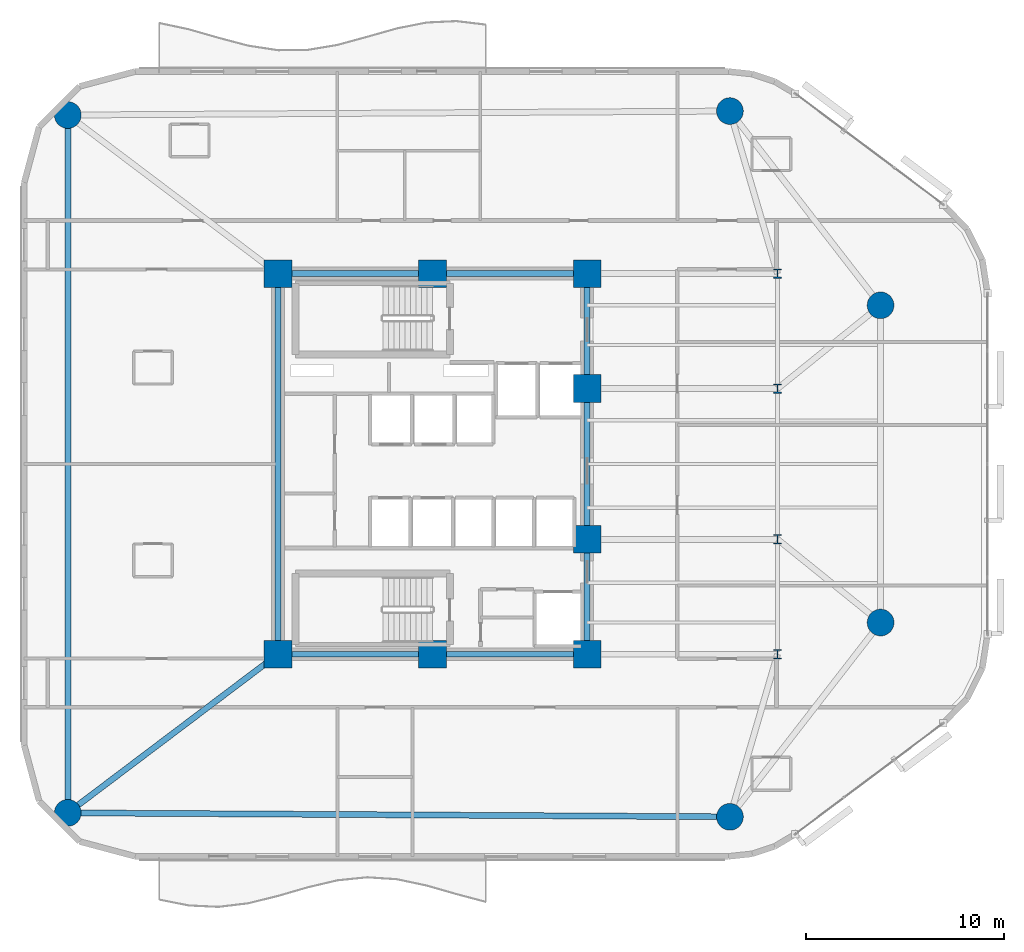
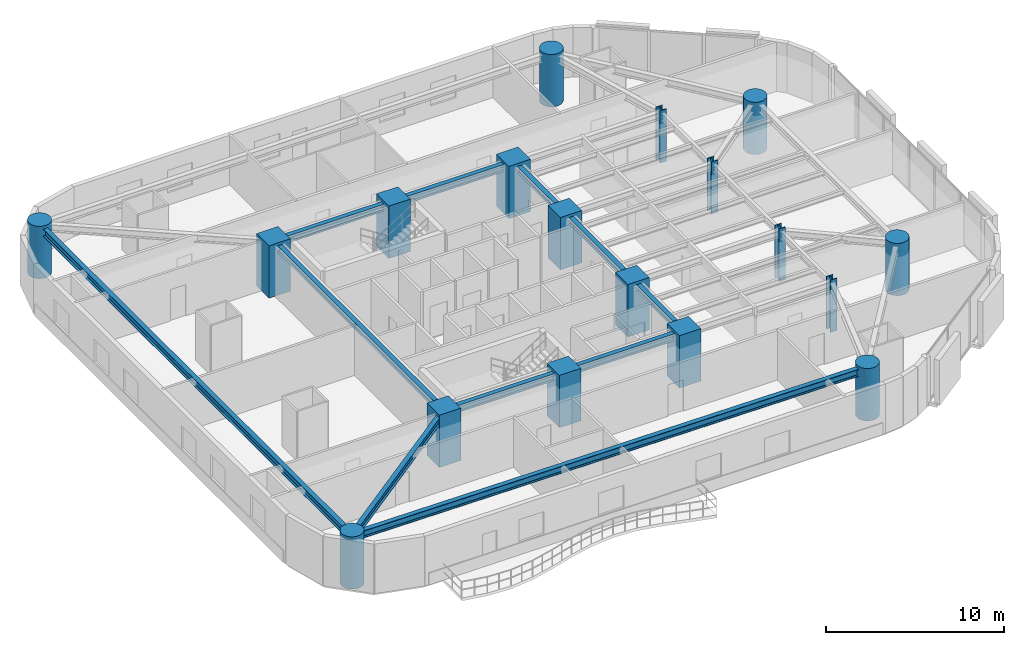
# One storey, part 1 of 15: 18 columns, 9 beams.
"""IFC4 building model written with IfcOpenShell, lengths in metres."""

from ifc_helpers import new_model, si_unit, direction, frame, origin, origin_2d, place, context, subcontext, project, spatial, rectangle, circle, i_section, extrude, material, material_profile, profile_set, type_object, element, save


model = new_model("IFC4")

# Units and contexts
model_context = context("Model", 3, precision=1e-05, world=origin(), true_north=direction((0.0, 1.0)))
body_context = subcontext(model_context, "Body", "Model", "MODEL_VIEW")
ifc_project = project(units=[si_unit("LENGTHUNIT", "METRE"), si_unit("AREAUNIT", "SQUARE_METRE"), si_unit("VOLUMEUNIT", "CUBIC_METRE"), si_unit("PLANEANGLEUNIT", "RADIAN"), si_unit("MASSUNIT", "GRAM", prefix="KILO")], contexts=[model_context])

# Site, building, storey
site_placement = place(None, origin())
site = spatial("IfcSite", under=ifc_project, at=site_placement, CompositionType="ELEMENT")
building_placement = place(site_placement, origin())
building = spatial("IfcBuilding", under=site, at=building_placement, Name="An Khanh Terracotta Commons", CompositionType="ELEMENT")
storey_placement = place(building_placement, frame((0.0, 0.0, 122.300048828125)))
storey = spatial("IfcBuildingStorey", under=building, at=storey_placement, Name="L32", CompositionType="ELEMENT", Elevation=122.300048828125)

# Columns
ifc_material_1 = material(Name="Concrete C70/85", Category="concrete")
ifc_material_profile_1 = material_profile(ifc_material_1, circle(Radius=0.675048828125, at=origin_2d()), Name="CFST1350")
ifc_profile_set_1 = profile_set([ifc_material_profile_1], Name="Concrete C70/85")
column_type_1 = type_object("IfcColumnType", Name="COL-CFST1350", PredefinedType="COLUMN", material=ifc_profile_set_1)
for number, where, z_axis, x_axis, name in (
    (1, (11.0, 6.39990234375, 0.0), (0.0, 0.0, 1.0), (1.0, 0.0, 0.0), "L32 Perimeter CFST Mega-Column MC-01"),
    (2, (44.39990234375, 6.199951171875, 0.0), (0.0, 0.0, 1.0), (1.0, 0.0, 0.0), "L32 Perimeter CFST Mega-Column MC-02"),
    (3, (52.0, 16.0, 0.0), (0.0, 0.0, 1.0), (1.0, 0.0, 0.0), "L32 Perimeter CFST Mega-Column MC-03"),
    (4, (52.0, 32.0, 0.0), (0.0, 0.0, 1.0), (1.0, 0.0, 0.0), "L32 Perimeter CFST Mega-Column MC-04"),
    (5, (44.39990234375, 41.800048828125, 0.0), (0.0, 0.0, 1.0), (1.0, 0.0, 0.0), "L32 Perimeter CFST Mega-Column MC-05"),
    (6, (11.0, 41.60009765625, 0.0), (0.0, 0.0, 1.0), (1.0, 0.0, 0.0), "L32 Perimeter CFST Mega-Column MC-06"),
):
    element("IfcColumn", number, at=place(storey_placement, frame(where, z_axis=z_axis, x_axis=x_axis)), inside=storey, type_object=column_type_1, Name=name, PredefinedType="COLUMN", context=body_context, shape_type="SweptSolid", body=[
        extrude(circle(Radius=0.675048828125, at=origin_2d()), origin(), (0.0, 0.0, 1.0), 3.599853515625),
    ])
ifc_material_2 = material(Name="Steel S460ML", Category="steel")
ifc_material_profile_2 = material_profile(ifc_material_2, i_section(OverallWidth=0.4169921875, OverallDepth=0.47705078125, WebThickness=0.035888671875, FlangeThickness=0.057373046875, FilletRadius=0.014892578125, at=origin_2d()), Name="HD400x463")
ifc_profile_set_2 = profile_set([ifc_material_profile_2], Name="Steel S460ML")
column_type_2 = type_object("IfcColumnType", Name="COL-HD400x463", PredefinedType="COLUMN", material=ifc_profile_set_2)
for number, where, z_axis, x_axis, name in (
    (7, (46.800048828125, 14.39990234375, 0.0), (0.0, 0.0, 1.0), (1.0, 0.0, 0.0), "L32 Interior Frame Column TC-01"),
    (8, (46.800048828125, 20.199951171875, 0.0), (0.0, 0.0, 1.0), (1.0, 0.0, 0.0), "L32 Interior Frame Column TC-02"),
    (9, (46.800048828125, 27.800048828125, 0.0), (0.0, 0.0, 1.0), (1.0, 0.0, 0.0), "L32 Interior Frame Column TC-03"),
    (10, (46.800048828125, 33.60009765625, 0.0), (0.0, 0.0, 1.0), (1.0, 0.0, 0.0), "L32 Interior Frame Column TC-04"),
):
    element("IfcColumn", number, at=place(storey_placement, frame(where, z_axis=z_axis, x_axis=x_axis)), inside=storey, type_object=column_type_2, Name=name, PredefinedType="COLUMN", context=body_context, shape_type="SweptSolid", body=[
        extrude(i_section(OverallWidth=0.4169921875, OverallDepth=0.47705078125, WebThickness=0.035888671875, FlangeThickness=0.057373046875, FilletRadius=0.014892578125, at=origin_2d()), origin(), (0.0, 0.0, 1.0), 3.599853515625),
    ])
ifc_material_profile_3 = material_profile(ifc_material_1, rectangle(XDim=1.39990234375, YDim=1.39990234375, at=origin_2d()), Name="RC1400x1400")
ifc_profile_set_3 = profile_set([ifc_material_profile_3], Name="Concrete C70/85")
column_type_3 = type_object("IfcColumnType", Name="COL-RC1400x1400", PredefinedType="COLUMN", material=ifc_profile_set_3)
for number, where, z_axis, x_axis, name in (
    (11, (21.60009765625, 14.39990234375, 0.0), (0.0, 0.0, 1.0), (1.0, 0.0, 0.0), "L32 Core Boundary Column CC-01"),
    (12, (29.39990234375, 14.39990234375, 0.0), (0.0, 0.0, 1.0), (1.0, 0.0, 0.0), "L32 Core Boundary Column CC-02"),
    (13, (37.199951171875, 14.39990234375, 0.0), (0.0, 0.0, 1.0), (1.0, 0.0, 0.0), "L32 Core Boundary Column CC-03"),
    (14, (37.199951171875, 20.199951171875, 0.0), (0.0, 0.0, 1.0), (1.0, 0.0, 0.0), "L32 Core Boundary Column CC-04"),
    (15, (37.199951171875, 27.800048828125, 0.0), (0.0, 0.0, 1.0), (1.0, 0.0, 0.0), "L32 Core Boundary Column CC-05"),
    (16, (37.199951171875, 33.60009765625, 0.0), (0.0, 0.0, 1.0), (1.0, 0.0, 0.0), "L32 Core Boundary Column CC-06"),
    (17, (29.39990234375, 33.60009765625, 0.0), (0.0, 0.0, 1.0), (1.0, 0.0, 0.0), "L32 Core Boundary Column CC-07"),
    (18, (21.60009765625, 33.60009765625, 0.0), (0.0, 0.0, 1.0), (1.0, 0.0, 0.0), "L32 Core Boundary Column CC-08"),
):
    element("IfcColumn", number, at=place(storey_placement, frame(where, z_axis=z_axis, x_axis=x_axis)), inside=storey, type_object=column_type_3, Name=name, PredefinedType="COLUMN", context=body_context, shape_type="SweptSolid", body=[
        extrude(rectangle(XDim=1.39990234375, YDim=1.39990234375, at=origin_2d()), origin(), (0.0, 0.0, 1.0), 3.599853515625),
    ])

# Beams
ifc_material_3 = material(Name="Steel S355J2", Category="steel")
ifc_material_profile_4 = material_profile(ifc_material_3, i_section(OverallWidth=0.300048828125, OverallDepth=0.449951171875, WebThickness=0.013916015625, FlangeThickness=0.02587890625, FilletRadius=0.027099609375, at=origin_2d()), Name="HEB450")
ifc_profile_set_4 = profile_set([ifc_material_profile_4], Name="Steel S355J2")
beam_type_1 = type_object("IfcBeamType", Name="BM-HEB450", PredefinedType="BEAM", material=ifc_profile_set_4)
beam_1_placement = place(storey_placement, frame((37.199951171875, 14.39990234375, 3.175048828125), z_axis=(0.0, 1.0, 0.0), x_axis=(-1.0, 0.0, 0.0)))
element("IfcBeam", 19, at=beam_1_placement, inside=storey, type_object=beam_type_1, Name="L32 Core East Coupling Girder 1", PredefinedType="BEAM", context=body_context, shape_type="SweptSolid", body=[
    extrude(i_section(OverallWidth=0.300048828125, OverallDepth=0.449951171875, WebThickness=0.013916015625, FlangeThickness=0.02587890625, FilletRadius=0.027099609375, at=origin_2d()), origin(), (0.0, 0.0, 1.0), 5.800048828125),
])
beam_2_placement = place(storey_placement, frame((37.199951171875, 20.199951171875, 3.175048828125), z_axis=(0.0, 1.0, 0.0), x_axis=(-1.0, 0.0, 0.0)))
element("IfcBeam", 20, at=beam_2_placement, inside=storey, type_object=beam_type_1, Name="L32 Core East Coupling Girder 2", PredefinedType="BEAM", context=body_context, shape_type="SweptSolid", body=[
    extrude(i_section(OverallWidth=0.300048828125, OverallDepth=0.449951171875, WebThickness=0.013916015625, FlangeThickness=0.02587890625, FilletRadius=0.027099609375, at=origin_2d()), origin(), (0.0, 0.0, 1.0), 7.60009765625),
])
beam_3_placement = place(storey_placement, frame((37.199951171875, 27.800048828125, 3.175048828125), z_axis=(0.0, 1.0, 0.0), x_axis=(-1.0, 0.0, 0.0)))
element("IfcBeam", 21, at=beam_3_placement, inside=storey, type_object=beam_type_1, Name="L32 Core East Coupling Girder 3", PredefinedType="BEAM", context=body_context, shape_type="SweptSolid", body=[
    extrude(i_section(OverallWidth=0.300048828125, OverallDepth=0.449951171875, WebThickness=0.013916015625, FlangeThickness=0.02587890625, FilletRadius=0.027099609375, at=origin_2d()), origin(), (0.0, 0.0, 1.0), 5.800048828125),
])
beam_4_placement = place(storey_placement, frame((21.60009765625, 14.39990234375, 3.175048828125), z_axis=(0.0, 1.0, 0.0), x_axis=(-1.0, 0.0, 0.0)))
element("IfcBeam", 22, at=beam_4_placement, inside=storey, type_object=beam_type_1, Name="L32 Core West Coupling Girder", PredefinedType="BEAM", context=body_context, shape_type="SweptSolid", body=[
    extrude(i_section(OverallWidth=0.300048828125, OverallDepth=0.449951171875, WebThickness=0.013916015625, FlangeThickness=0.02587890625, FilletRadius=0.027099609375, at=origin_2d()), origin(), (0.0, 0.0, 1.0), 19.2001953125),
])
ifc_material_profile_5 = material_profile(ifc_material_3, i_section(OverallWidth=0.300048828125, OverallDepth=0.5, WebThickness=0.014404296875, FlangeThickness=0.028076171875, FilletRadius=0.027099609375, at=origin_2d()), Name="HEB500")
ifc_profile_set_5 = profile_set([ifc_material_profile_5], Name="Steel S355J2")
beam_type_2 = type_object("IfcBeamType", Name="BM-HEB500", PredefinedType="BEAM", material=ifc_profile_set_5)
for number, where, z_axis, x_axis, name in (
    (23, (21.60009765625, 14.39990234375, 3.14990234375), (1.0, 0.0, 0.0), (0.0, 1.0, 0.0), "L32 Core South Coupling Girder"),
    (24, (21.60009765625, 33.60009765625, 3.14990234375), (1.0, 0.0, 0.0), (0.0, 1.0, 0.0), "L32 Core North Coupling Girder"),
):
    element("IfcBeam", number, at=place(storey_placement, frame(where, z_axis=z_axis, x_axis=x_axis)), inside=storey, type_object=beam_type_2, Name=name, PredefinedType="BEAM", context=body_context, shape_type="SweptSolid", body=[
        extrude(i_section(OverallWidth=0.300048828125, OverallDepth=0.5, WebThickness=0.014404296875, FlangeThickness=0.028076171875, FilletRadius=0.027099609375, at=origin_2d()), origin(), (0.0, 0.0, 1.0), 15.599853515625),
    ])
beam_5_placement = place(storey_placement, frame((11.0, 6.39990234375, 3.14990234375), z_axis=(0.999982080914, -0.005986472262, 0.0), x_axis=(0.005986472262, 0.999982080914, 0.0)))
element("IfcBeam", 25, at=beam_5_placement, inside=storey, type_object=beam_type_2, Name="L32 Perimeter Ring Spandrel 1", PredefinedType="BEAM", context=body_context, shape_type="SweptSolid", body=[
    extrude(i_section(OverallWidth=0.300048828125, OverallDepth=0.5, WebThickness=0.014404296875, FlangeThickness=0.028076171875, FilletRadius=0.027099609375, at=origin_2d()), origin(), (0.0, 0.0, 1.0), 33.400390625),
])
beam_6_placement = place(storey_placement, frame((11.0, 41.60009765625, 3.14990234375), z_axis=(0.0, -1.0, 0.0), x_axis=(1.0, 0.0, 0.0)))
element("IfcBeam", 26, at=beam_6_placement, inside=storey, type_object=beam_type_2, Name="L32 Perimeter Ring Spandrel 6", PredefinedType="BEAM", context=body_context, shape_type="SweptSolid", body=[
    extrude(i_section(OverallWidth=0.300048828125, OverallDepth=0.5, WebThickness=0.014404296875, FlangeThickness=0.028076171875, FilletRadius=0.027099609375, at=origin_2d()), origin(), (0.0, 0.0, 1.0), 35.2001953125),
])
beam_7_placement = place(storey_placement, frame((11.0, 6.39990234375, 3.14990234375), z_axis=(0.798191818888, 0.602403370061, 0.0), x_axis=(-0.602403370061, 0.798191818888, 0.0)))
element("IfcBeam", 27, at=beam_7_placement, inside=storey, type_object=beam_type_2, Name="L32 Mega-Column Tie Girder 1", PredefinedType="BEAM", context=body_context, shape_type="SweptSolid", body=[
    extrude(i_section(OverallWidth=0.300048828125, OverallDepth=0.5, WebThickness=0.014404296875, FlangeThickness=0.028076171875, FilletRadius=0.027099609375, at=origin_2d()), origin(), (0.0, 0.0, 1.0), 13.280029296875),
])

save(model, "model.ifc")
